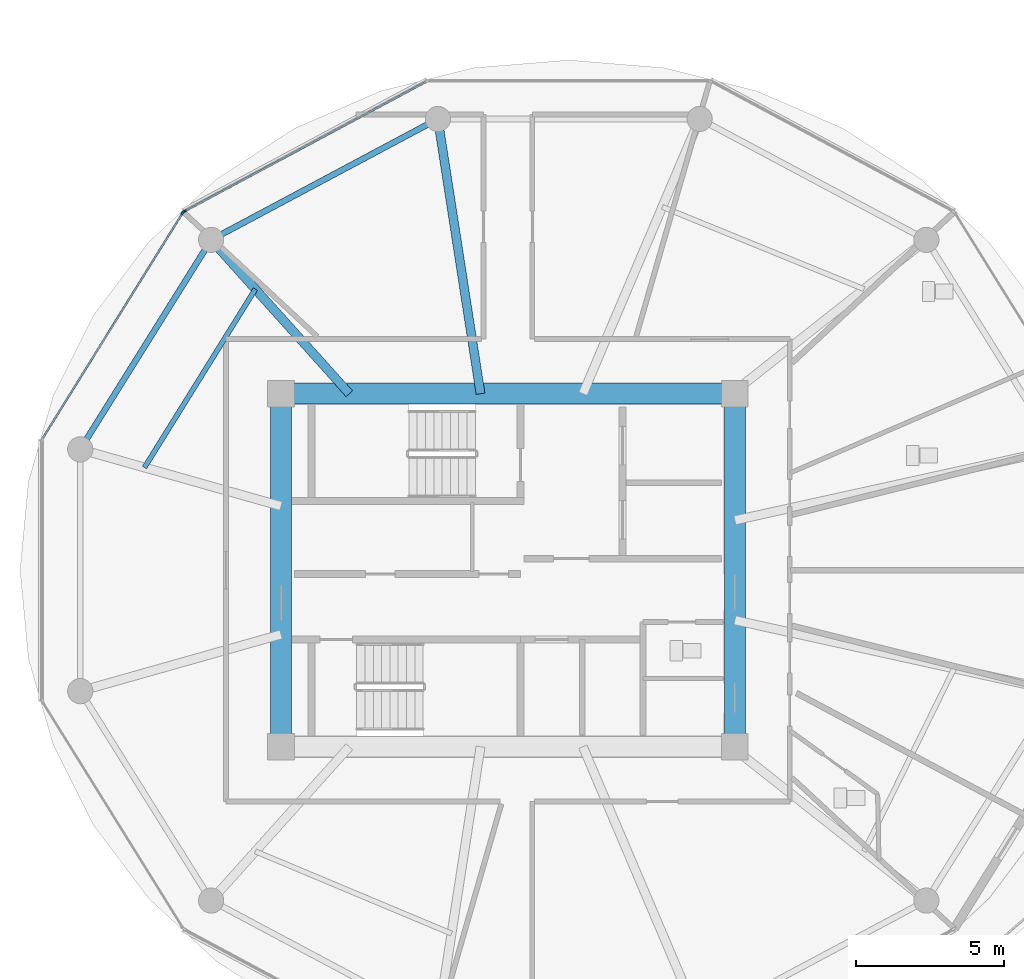
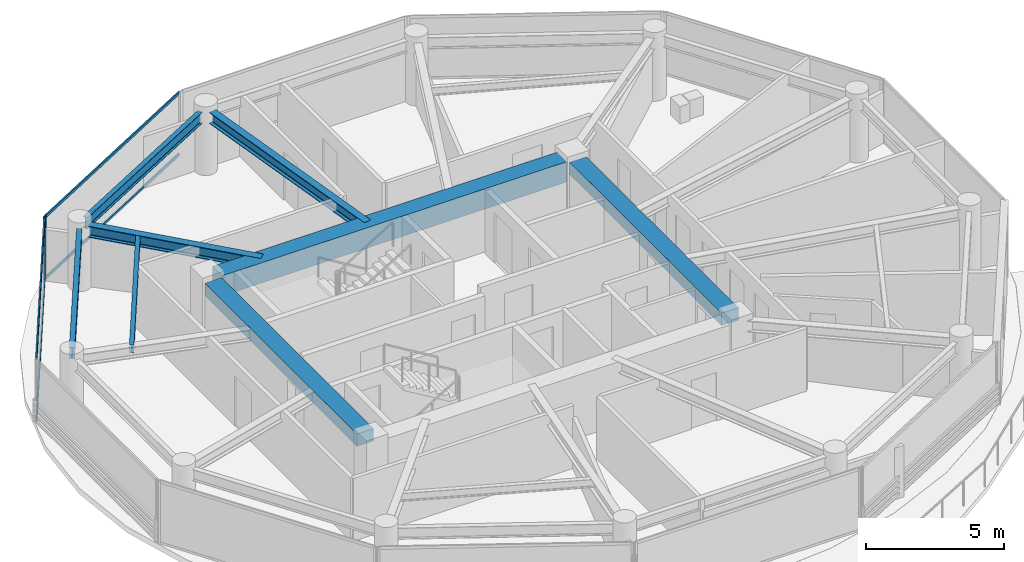
# One storey, part 4 of 24: 8 beams, 6 members, 2 elements without a shape of their own.
"""IFC4 building model written with IfcOpenShell, lengths in metres."""

from ifc_helpers import new_model, si_unit, direction, frame, origin, origin_2d, place, context, subcontext, project, spatial, rectangle, i_section, extrude, source, transform, mapped, material, layer, layer_set, material_profile, profile_set, type_object, type_shapes, element, aggregate, save


model = new_model("IFC4")

# Units and contexts
model_context = context("Model", 3, precision=1e-05, world=origin(), true_north=direction((0.0, 1.0)))
body_context = subcontext(model_context, "Body", "Model", "MODEL_VIEW")
ifc_project = project(units=[si_unit("LENGTHUNIT", "METRE"), si_unit("AREAUNIT", "SQUARE_METRE"), si_unit("VOLUMEUNIT", "CUBIC_METRE"), si_unit("PLANEANGLEUNIT", "RADIAN"), si_unit("MASSUNIT", "GRAM", prefix="KILO")], contexts=[model_context])

# Site, building, storey
site_placement = place(None, origin())
site = spatial("IfcSite", under=ifc_project, at=site_placement, CompositionType="ELEMENT")
building_placement = place(site_placement, origin())
building = spatial("IfcBuilding", under=site, at=building_placement, Name="Norrkilde Senior Care Towers", CompositionType="ELEMENT")
storey_placement = place(building_placement, frame((0.0, 0.0, 114.550048828125)))
storey = spatial("IfcBuildingStorey", under=building, at=storey_placement, Name="L35", CompositionType="ELEMENT", Elevation=114.550048828125)

# Beams
ifc_material_1 = material(Name="Concrete C60/75", Category="concrete")
ifc_material_profile_1 = material_profile(ifc_material_1, rectangle(XDim=0.699951171875, YDim=0.89990234375, at=origin_2d()), Name="RC BM 700x900")
ifc_profile_set_1 = profile_set([ifc_material_profile_1], Name="Concrete C60/75")
beam_type_1 = type_object("IfcBeamType", Name="Core Coupling Girder 700x900", PredefinedType="USERDEFINED", material=ifc_profile_set_1)
shared_shape_1 = source(origin(), body_context, "Body", "SweptSolid", [
    extrude(rectangle(XDim=0.699951171875, YDim=0.89990234375, at=origin_2d()), origin(), (0.0, 0.0, 1.0), 14.43994140625),
])
type_shapes(beam_type_1, [shared_shape_1])
beam_1_placement = place(storey_placement, frame((-35.219970703125, 5.949951171875, 2.33984375), z_axis=(1.0, 0.0, 0.0), x_axis=(0.0, 1.0, 0.0)))
element("IfcBeam", 1, at=beam_1_placement, inside=storey, type_object=beam_type_1, Name="L35 Core W N Coupling Girder", ObjectType="GIRDER", PredefinedType="USERDEFINED", context=body_context, shape_type="MappedRepresentation", body=[
    mapped(shared_shape_1, transform((0.0, 0.0, 0.0), x_axis=(1.0, 0.0, 0.0), y_axis=(0.0, 1.0, 0.0), z_axis=(0.0, 0.0, 1.0), scale=1.0)),
])
ifc_material_profile_2 = material_profile(ifc_material_1, rectangle(XDim=0.699951171875, YDim=0.550048828125, at=origin_2d()), Name="RC BM 700x550")
ifc_profile_set_2 = profile_set([ifc_material_profile_2], Name="Concrete C60/75")
beam_type_2 = type_object("IfcBeamType", Name="Core Portal Coupling Beam 700x550", PredefinedType="USERDEFINED", material=ifc_profile_set_2)
shared_shape_2 = source(origin(), body_context, "Body", "SweptSolid", [
    extrude(rectangle(XDim=0.699951171875, YDim=0.550048828125, at=origin_2d()), origin(), (0.0, 0.0, 1.0), 11.0400390625),
])
type_shapes(beam_type_2, [shared_shape_2])
for number, where, z_axis, x_axis, name in (
    (2, (-35.64990234375, -5.52001953125, 2.514892578125), (0.0, 1.0, 0.0), (-1.0, 0.0, 0.0), "L35 Core W W Coupling Girder"),
    (3, (-20.35009765625, -5.52001953125, 2.514892578125), (0.0, 1.0, 0.0), (-1.0, 0.0, 0.0), "L35 Core W E Coupling Girder"),
):
    element("IfcBeam", number, at=place(storey_placement, frame(where, z_axis=z_axis, x_axis=x_axis)), inside=storey, type_object=beam_type_2, Name=name, ObjectType="GIRDER", PredefinedType="USERDEFINED", context=body_context, shape_type="MappedRepresentation", body=[
        mapped(shared_shape_2, transform((0.0, 0.0, 0.0), x_axis=(1.0, 0.0, 0.0), y_axis=(0.0, 1.0, 0.0), z_axis=(0.0, 0.0, 1.0), scale=1.0)),
    ])
ifc_material_2 = material(Name="Steel S355", Category="steel")
ifc_material_profile_3 = material_profile(ifc_material_2, i_section(OverallWidth=0.199951171875, OverallDepth=0.5, WebThickness=0.01025390625, FlangeThickness=0.01611328125, FilletRadius=0.02099609375, at=origin_2d()), Name="IPE 500")
ifc_profile_set_3 = profile_set([ifc_material_profile_3], Name="Steel S355")
beam_type_3 = type_object("IfcBeamType", Name="Perimeter Ring Spandrel Z2 IPE500", PredefinedType="SPANDREL", material=ifc_profile_set_3)
shared_shape_3 = source(origin(), body_context, "Body", "SweptSolid", [
    extrude(i_section(OverallWidth=0.199951171875, OverallDepth=0.5, WebThickness=0.01025390625, FlangeThickness=0.01611328125, FilletRadius=0.02099609375, at=origin_2d()), origin(), (0.0, 0.0, 1.0), 7.892333984375),
])
beam_2_placement = place(storey_placement, frame((-30.70263671875, 15.0322265625, 2.5400390625), z_axis=(-0.882350372282, -0.47059305194, 0.0), x_axis=(0.47059305194, -0.882350372282, 0.0)))
element("IfcBeam", 4, at=beam_2_placement, inside=storey, type_object=beam_type_3, Name="L35 Drum W Perimeter Spandrel 04", PredefinedType="SPANDREL", context=body_context, shape_type="MappedRepresentation", body=[
    mapped(shared_shape_3, transform((0.0, 0.0, 0.0), x_axis=(1.0, 0.0, 0.0), y_axis=(0.0, 1.0, 0.0), z_axis=(0.0, 0.0, 1.0), scale=1.0)),
])
ifc_material_profile_4 = material_profile(ifc_material_2, i_section(OverallWidth=0.300048828125, OverallDepth=0.5, WebThickness=0.014404296875, FlangeThickness=0.028076171875, FilletRadius=0.027099609375, at=origin_2d()), Name="HEB 500")
ifc_profile_set_4 = profile_set([ifc_material_profile_4], Name="Steel S355")
beam_type_4 = type_object("IfcBeamType", Name="Radial Floor Beam Z2 HEB500", PredefinedType="BEAM", material=ifc_profile_set_4)
shared_shape_4 = source(origin(), body_context, "Body", "SweptSolid", [
    extrude(i_section(OverallWidth=0.300048828125, OverallDepth=0.5, WebThickness=0.014404296875, FlangeThickness=0.028076171875, FilletRadius=0.027099609375, at=origin_2d()), origin(), (0.0, 0.0, 1.0), 8.989501953125),
])
beam_3_placement = place(storey_placement, frame((-28.924072265625, 5.949951171875, 2.5400390625), z_axis=(-0.153471298636, 0.988153105796, 0.0), x_axis=(-0.988153105796, -0.153471298636, 0.0)))
element("IfcBeam", 5, at=beam_3_placement, inside=storey, type_object=beam_type_4, Name="L35 Drum W Radial Floor Beam 04", PredefinedType="BEAM", context=body_context, shape_type="MappedRepresentation", body=[
    mapped(shared_shape_4, transform((0.0, 0.0, 0.0), x_axis=(1.0, 0.0, 0.0), y_axis=(0.0, 1.0, 0.0), z_axis=(0.0, 0.0, 1.0), scale=1.0)),
])
shared_shape_5 = source(origin(), body_context, "Body", "SweptSolid", [
    extrude(i_section(OverallWidth=0.199951171875, OverallDepth=0.5, WebThickness=0.01025390625, FlangeThickness=0.01611328125, FilletRadius=0.02099609375, at=origin_2d()), origin(), (0.0, 0.0, 1.0), 7.556396484375),
])
type_shapes(beam_type_3, [shared_shape_3, shared_shape_5])
beam_4_placement = place(storey_placement, frame((-38.210205078125, 10.810546875, 2.5400390625), z_axis=(-0.530004748437, -0.847994673706, 0.0), x_axis=(0.847994673706, -0.530004748437, 0.0)))
element("IfcBeam", 6, at=beam_4_placement, inside=storey, type_object=beam_type_3, Name="L35 Drum W Perimeter Spandrel 05", PredefinedType="SPANDREL", context=body_context, shape_type="MappedRepresentation", body=[
    mapped(shared_shape_5, transform((0.0, 0.0, 0.0), x_axis=(1.0, 0.0, 0.0), y_axis=(0.0, 1.0, 0.0), z_axis=(0.0, 0.0, 1.0), scale=1.0)),
])
shared_shape_6 = source(origin(), body_context, "Body", "SweptSolid", [
    extrude(i_section(OverallWidth=0.300048828125, OverallDepth=0.5, WebThickness=0.014404296875, FlangeThickness=0.028076171875, FilletRadius=0.027099609375, at=origin_2d()), origin(), (0.0, 0.0, 1.0), 6.587890625),
])
type_shapes(beam_type_4, [shared_shape_4, shared_shape_6])
beam_5_placement = place(storey_placement, frame((-33.345947265625, 5.949951171875, 2.5400390625), z_axis=(-0.668315438605, 0.743877997068, 0.0), x_axis=(-0.743877997068, -0.668315438605, 0.0)))
element("IfcBeam", 7, at=beam_5_placement, inside=storey, type_object=beam_type_4, Name="L35 Drum W Radial Floor Beam 05", PredefinedType="BEAM", context=body_context, shape_type="MappedRepresentation", body=[
    mapped(shared_shape_6, transform((0.0, 0.0, 0.0), x_axis=(1.0, 0.0, 0.0), y_axis=(0.0, 1.0, 0.0), z_axis=(0.0, 0.0, 1.0), scale=1.0)),
])
ifc_material_profile_5 = material_profile(ifc_material_2, i_section(OverallWidth=0.169921875, OverallDepth=0.360107421875, WebThickness=0.008056640625, FlangeThickness=0.0126953125, FilletRadius=0.01806640625, at=origin_2d()), Name="IPE 360")
ifc_profile_set_5 = profile_set([ifc_material_profile_5], Name="Steel S355")
beam_type_5 = type_object("IfcBeamType", Name="Secondary Floor Joist IPE360", PredefinedType="JOIST", material=ifc_profile_set_5)
shared_shape_7 = source(origin(), body_context, "Body", "SweptSolid", [
    extrude(i_section(OverallWidth=0.169921875, OverallDepth=0.360107421875, WebThickness=0.008056640625, FlangeThickness=0.0126953125, FilletRadius=0.01806640625, at=origin_2d()), origin(), (0.0, 0.0, 1.0), 7.080078125),
])
type_shapes(beam_type_5, [shared_shape_7])
beam_6_placement = place(storey_placement, frame((-36.514892578125, 9.47705078125, 2.60986328125), z_axis=(-0.527961009189, -0.849268610497, 0.0), x_axis=(0.849268610497, -0.527961009189, 0.0)))
element("IfcBeam", 8, at=beam_6_placement, inside=storey, type_object=beam_type_5, Name="L35 Drum W Secondary Floor Joist 2", PredefinedType="JOIST", context=body_context, shape_type="MappedRepresentation", body=[
    mapped(shared_shape_7, transform((0.0, 0.0, 0.0), x_axis=(1.0, 0.0, 0.0), y_axis=(0.0, 1.0, 0.0), z_axis=(0.0, 0.0, 1.0), scale=1.0)),
])

# Curtain wall, member
ifc_material_3 = material(Name="Triple Low-E Insulated Glazing", Category="glass")
ifc_layer = layer(ifc_material_3, 0.195068359375)
ifc_layer_set = layer_set([ifc_layer], Name="Triple Low-E Insulated Glazing")
curtain_wall_type = type_object("IfcCurtainWallType", Name="CW3 Zone 2 Assisted Living Curtain Wall", PredefinedType="NOTDEFINED", material=ifc_layer_set)
curtain_wall_1_placement = place(storey_placement, origin())
curtain_wall_1 = element("IfcCurtainWall", 9, at=curtain_wall_1_placement, inside=storey, type_object=curtain_wall_type, Name="L35 Drum W Curtain Wall 03", PredefinedType="NOTDEFINED")
ifc_material_4 = material(Name="Anodised Aluminium", Category="aluminium")
ifc_material_profile_6 = material_profile(ifc_material_4, rectangle(XDim=0.06494140625, YDim=0.159912109375, at=origin_2d()), Name="ALU MULL 65x160")
ifc_profile_set_6 = profile_set([ifc_material_profile_6], Name="Anodised Aluminium")
member_type_1 = type_object("IfcMemberType", Name="Curtain Wall Mullion Z1-Z2 65x160", PredefinedType="MULLION", material=ifc_profile_set_6)
shared_shape_8 = source(origin(), body_context, "Body", "SweptSolid", [
    extrude(rectangle(XDim=0.06494140625, YDim=0.159912109375, at=origin_2d()), origin(), (0.0, 0.0, 1.0), 2.7900390625),
])
type_shapes(member_type_1, [shared_shape_8])
member_1_placement = place(storey_placement, frame((-38.91796875, 12.0927734375, 0.0), z_axis=(0.0, 0.0, 1.0), x_axis=(-0.472769402511, 0.881186184668, 0.0)))
member_1 = element("IfcMember", 10, at=member_1_placement, type_object=member_type_1, Name="CW-3 mullion 1", PredefinedType="MULLION", context=body_context, shape_type="MappedRepresentation", body=[
    mapped(shared_shape_8, transform((0.0, 0.0, 0.0), x_axis=(1.0, 0.0, 0.0), y_axis=(0.0, 1.0, 0.0), z_axis=(0.0, 0.0, 1.0), scale=1.0)),
])

# Curtain wall, members
curtain_wall_2_placement = place(storey_placement, origin())
curtain_wall_2 = element("IfcCurtainWall", 11, at=curtain_wall_2_placement, inside=storey, type_object=curtain_wall_type, Name="L35 Drum W Curtain Wall 04", PredefinedType="NOTDEFINED")
member_2_placement = place(storey_placement, frame((-38.9638671875, 12.0498046875, 0.0), z_axis=(0.0, 0.0, 1.0), x_axis=(-0.849410171862, 0.527733228002, 0.0)))
member_2 = element("IfcMember", 12, at=member_2_placement, type_object=member_type_1, Name="CW-3 mullion 2", PredefinedType="MULLION", context=body_context, shape_type="MappedRepresentation", body=[
    mapped(shared_shape_8, transform((0.0, 0.0, 0.0), x_axis=(1.0, 0.0, 0.0), y_axis=(0.0, 1.0, 0.0), z_axis=(0.0, 0.0, 1.0), scale=1.0)),
])
ifc_material_profile_7 = material_profile(ifc_material_4, rectangle(XDim=0.06005859375, YDim=0.1201171875, at=origin_2d()), Name="ALU TRAN 60x120")
ifc_profile_set_7 = profile_set([ifc_material_profile_7], Name="Anodised Aluminium")
member_type_2 = type_object("IfcMemberType", Name="Curtain Wall Transom Typical 60x120", PredefinedType="USERDEFINED", material=ifc_profile_set_7)
shared_shape_9 = source(origin(), body_context, "Body", "SweptSolid", [
    extrude(rectangle(XDim=0.06005859375, YDim=0.1201171875, at=origin_2d()), origin(), (0.0, 0.0, 1.0), 8.88427734375),
])
member_3_placement = place(storey_placement, frame((-43.66943359375, 4.475830078125, 0.030029296875), z_axis=(0.527729466743, 0.849412508697, 0.0), x_axis=(-0.849412508697, 0.527729466743, 0.0)))
member_3 = element("IfcMember", 13, at=member_3_placement, type_object=member_type_2, Name="CW-3 transom 1.1", ObjectType="TRANSOM", PredefinedType="USERDEFINED", context=body_context, shape_type="MappedRepresentation", body=[
    mapped(shared_shape_9, transform((0.0, 0.0, 0.0), x_axis=(1.0, 0.0, 0.0), y_axis=(0.0, 1.0, 0.0), z_axis=(0.0, 0.0, 1.0), scale=1.0)),
])
member_4_placement = place(storey_placement, frame((-43.66943359375, 4.475830078125, 2.760009765625), z_axis=(0.527729466743, 0.849412508697, 0.0), x_axis=(-0.849412508697, 0.527729466743, 0.0)))
member_4 = element("IfcMember", 14, at=member_4_placement, type_object=member_type_2, Name="CW-3 transom 1.2", ObjectType="TRANSOM", PredefinedType="USERDEFINED", context=body_context, shape_type="MappedRepresentation", body=[
    mapped(shared_shape_9, transform((0.0, 0.0, 0.0), x_axis=(1.0, 0.0, 0.0), y_axis=(0.0, 1.0, 0.0), z_axis=(0.0, 0.0, 1.0), scale=1.0)),
])
aggregate(curtain_wall_2, [member_2, member_3, member_4])

# Member
shared_shape_10 = source(origin(), body_context, "Body", "SweptSolid", [
    extrude(rectangle(XDim=0.06005859375, YDim=0.1201171875, at=origin_2d()), origin(), (0.0, 0.0, 1.0), 9.220458984375),
])
type_shapes(member_type_2, [shared_shape_9, shared_shape_10])
member_5_placement = place(storey_placement, frame((-38.889404296875, 12.108154296875, 0.030029296875), z_axis=(0.881188517866, 0.472765053681, 0.0), x_axis=(-0.472765053681, 0.881188517866, 0.0)))
member_5 = element("IfcMember", 15, at=member_5_placement, type_object=member_type_2, Name="CW-3 transom 1.1", ObjectType="TRANSOM", PredefinedType="USERDEFINED", context=body_context, shape_type="MappedRepresentation", body=[
    mapped(shared_shape_10, transform((0.0, 0.0, 0.0), x_axis=(1.0, 0.0, 0.0), y_axis=(0.0, 1.0, 0.0), z_axis=(0.0, 0.0, 1.0), scale=1.0)),
])

member_6_placement = place(storey_placement, frame((-38.889404296875, 12.108154296875, 2.760009765625), z_axis=(0.881188517866, 0.472765053681, 0.0), x_axis=(-0.472765053681, 0.881188517866, 0.0)))
member_6 = element("IfcMember", 16, at=member_6_placement, type_object=member_type_2, Name="CW-3 transom 1.2", ObjectType="TRANSOM", PredefinedType="USERDEFINED", context=body_context, shape_type="MappedRepresentation", body=[
    mapped(shared_shape_10, transform((0.0, 0.0, 0.0), x_axis=(1.0, 0.0, 0.0), y_axis=(0.0, 1.0, 0.0), z_axis=(0.0, 0.0, 1.0), scale=1.0)),
])

aggregate(curtain_wall_1, [member_1, member_5, member_6])

save(model, "model.ifc")
